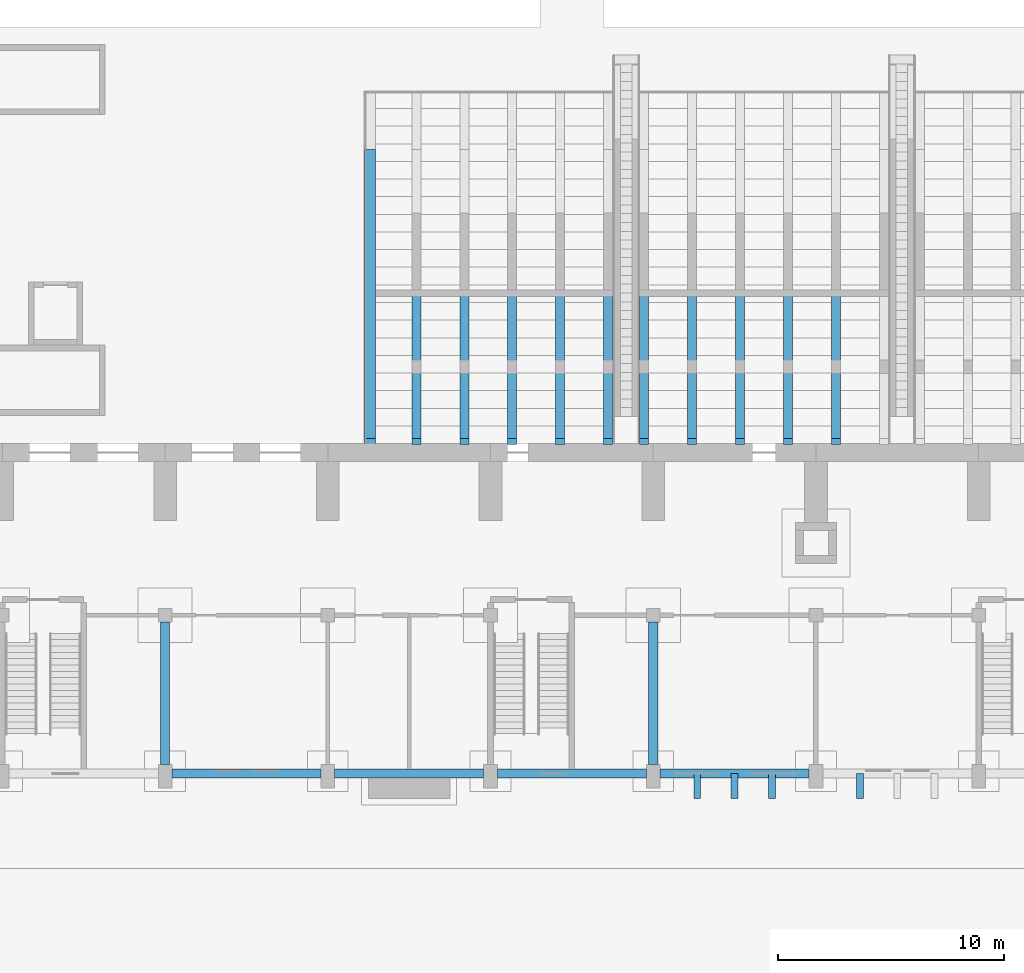
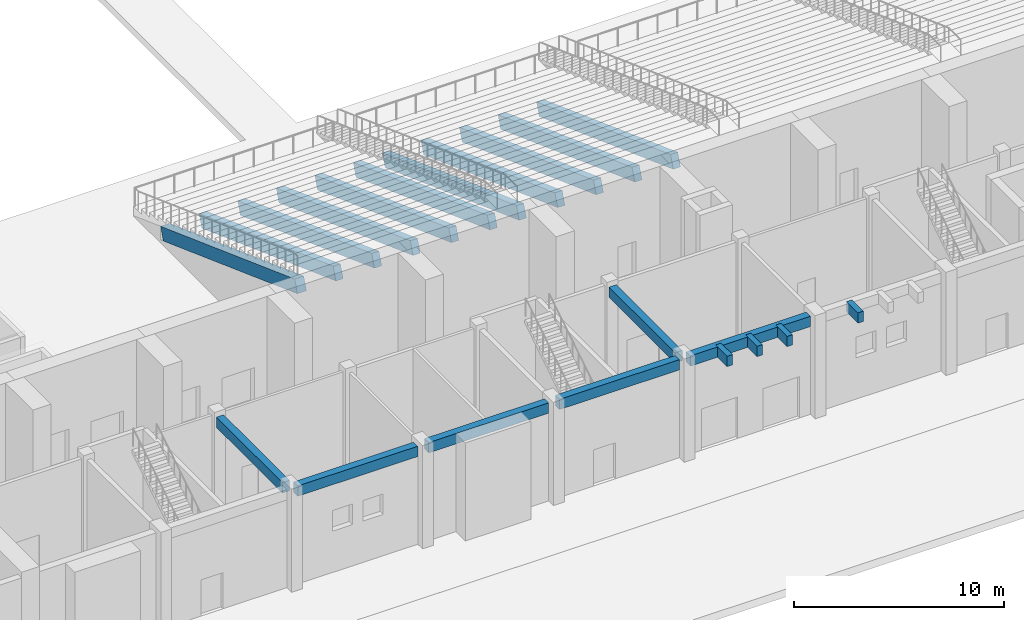
# One storey, part 9 of 70: 17 beams, 4 members.
"""IFC4 building model written with IfcOpenShell, lengths in metres."""

import ifcopenshell
import ifcopenshell.guid

model = None  # the IFC model being written
_history = None  # IfcOwnerHistory: only IFC2X3 demands one
_inside = {}  # id of a spatial element -> (the spatial element, [elements in it])
_under = {}  # id of a project, library or spatial element -> (it, [spatial elements below it])
_declared = {}  # id of a project -> (the project, [libraries it declares])
_typed = {}  # id of a type object -> (the type object, [elements of that type])
_made_of = {}  # id of a material, layer set ... -> (it, [elements and type objects made of it])


def new_model(schema):
    """Start an empty IFC model of exactly this schema.

    Asked for "IFC4X3", IfcOpenShell would pick the latest addendum, in which some entities
    have other attributes; the version numbers below select the first issue.
    IFC2X3 requires an IfcOwnerHistory on every rooted entity: one is made here for all.
    """
    global model, _history
    if schema == "IFC4X3":
        model = ifcopenshell.file(schema_version=(4, 3, 0, 0))
    else:
        model = ifcopenshell.file(schema=schema)
    _inside.clear()
    _under.clear()
    _declared.clear()
    _typed.clear()
    _made_of.clear()
    _history = None
    if model.schema == "IFC2X3":
        org = make("IfcOrganization", Name="unknown")
        user = make(
            "IfcPersonAndOrganization",
            ThePerson=make("IfcPerson", FamilyName="unknown"),
            TheOrganization=org,
        )
        app = make(
            "IfcApplication",
            ApplicationDeveloper=org,
            Version="unknown",
            ApplicationFullName="unknown",
            ApplicationIdentifier="unknown",
        )
        _history = make(
            "IfcOwnerHistory",
            OwningUser=user,
            OwningApplication=app,
            ChangeAction="ADDED",
            CreationDate=0,
        )
    return model


def make(cls, **values):
    """One entity of the class cls with the attributes given. An attribute that is None is left unset."""
    return model.create_entity(
        cls, **{name: value for name, value in values.items() if value is not None}
    )


def rooted(cls, **values):
    """An entity with a GlobalId (a new one), such as an element, a storey or a relation."""
    return make(cls, GlobalId=ifcopenshell.guid.new(), OwnerHistory=_history, **values)


def si_unit(unit_type, name, prefix=None):
    """IfcSIUnit, for example si_unit("LENGTHUNIT", "METRE", prefix="MILLI")."""
    return make("IfcSIUnit", UnitType=unit_type, Prefix=prefix, Name=name)


def assignment(units):
    """IfcUnitAssignment: the units of a project."""
    return None if units is None else make("IfcUnitAssignment", Units=units)


def point(xyz):
    """IfcCartesianPoint."""
    return None if xyz is None else make("IfcCartesianPoint", Coordinates=xyz)


def direction(xyz):
    """IfcDirection."""
    return None if xyz is None else make("IfcDirection", DirectionRatios=xyz)


def frame(location, z_axis=None, x_axis=None):
    """IfcAxis2Placement3D, a coordinate frame: its origin and axes. An axis left out is left unset."""
    return make(
        "IfcAxis2Placement3D",
        Location=point(location),
        Axis=direction(z_axis),
        RefDirection=direction(x_axis),
    )


def frame_2d(location, x_axis=None):
    """IfcAxis2Placement2D, a coordinate frame in the plane: its origin and x axis."""
    return make(
        "IfcAxis2Placement2D", Location=point(location), RefDirection=direction(x_axis)
    )


def origin():
    """The frame at (0, 0, 0) with its axes left unset."""
    return frame((0.0, 0.0, 0.0))


def origin_2d():
    """The frame at (0, 0) in the plane with its x axis left unset."""
    return frame_2d((0.0, 0.0))


def place(relative_to, where):
    """IfcLocalPlacement: puts the frame where relative to a parent placement (None: the world)."""
    return make(
        "IfcLocalPlacement", PlacementRelTo=relative_to, RelativePlacement=where
    )


def context(
    kind, dimensions, precision=None, world=None, true_north=None, identifier=None
):
    """IfcGeometricRepresentationContext, for example the 3D "Model" context."""
    return make(
        "IfcGeometricRepresentationContext",
        ContextIdentifier=identifier,
        ContextType=kind,
        CoordinateSpaceDimension=dimensions,
        Precision=precision,
        WorldCoordinateSystem=world,
        TrueNorth=true_north,
    )


def subcontext(parent, identifier, kind, view, scale=None):
    """IfcGeometricRepresentationSubContext, for example "Body" below "Model"."""
    return make(
        "IfcGeometricRepresentationSubContext",
        ContextIdentifier=identifier,
        ContextType=kind,
        ParentContext=parent,
        TargetScale=scale,
        TargetView=view,
    )


def project(units=None, contexts=None):
    """IfcProject with its units and contexts."""
    return rooted(
        "IfcProject",
        Name="project",
        RepresentationContexts=contexts,
        UnitsInContext=assignment(units),
    )


def spatial(cls, under=None, at=None, **own):
    """A site, building, storey or space (cls), placed at a placement, below another one or the project."""
    s = rooted(cls, ObjectPlacement=at, **own)
    if under is not None:
        _under.setdefault(under.id(), (under, []))[1].append(s)
    return s


def profile(cls, at=None, kind="AREA", **sizes):
    """A parametric profile (cls). Its sizes go by their IFC names, for example OverallWidth=200.0."""
    return make(cls, ProfileType=kind, Position=at, **sizes)


def rectangle(**sizes):
    """IfcRectangleProfileDef."""
    return profile("IfcRectangleProfileDef", **sizes)


def extrude(swept, where, along, depth):
    """IfcExtrudedAreaSolid: the profile swept, set in the frame where, extruded along a direction by depth."""
    return make(
        "IfcExtrudedAreaSolid",
        SweptArea=swept,
        Position=where,
        ExtrudedDirection=direction(along),
        Depth=depth,
    )


def shape(context_of_items, identifier, shape_type, items):
    """IfcShapeRepresentation: the items that make up one representation, for example the "Body"."""
    return make(
        "IfcShapeRepresentation",
        ContextOfItems=context_of_items,
        RepresentationIdentifier=identifier,
        RepresentationType=shape_type,
        Items=items,
    )


def material(Name=None, Category=None):
    """IfcMaterial."""
    return make("IfcMaterial", Name=Name, Category=Category)


def material_profile(
    of_material, cross_section, Name=None, Category=None, Priority=None
):
    """IfcMaterialProfile: a cross section and its material."""
    return make(
        "IfcMaterialProfile",
        Name=Name,
        Material=of_material,
        Profile=cross_section,
        Priority=Priority,
        Category=Category,
    )


def profile_set(profiles, Name=None, composite=None):
    """IfcMaterialProfileSet."""
    return make(
        "IfcMaterialProfileSet",
        Name=Name,
        MaterialProfiles=profiles,
        CompositeProfile=composite,
    )


def made_of(thing, what):
    """Note that an element or type object is made of a material, layer set ...; save() writes the relation."""
    if what is not None:
        _made_of.setdefault(what.id(), (what, []))[1].append(thing)
    return thing


def type_object(cls, material=None, **own):
    """A type object (cls), such as IfcWallType, which elements share."""
    return made_of(rooted(cls, **own), material)


def element(
    cls,
    number,
    at=None,
    inside=None,
    cuts=None,
    type_object=None,
    material=None,
    context=None,
    identifier="Body",
    shape_type=None,
    held_by="IfcProductDefinitionShape",
    body=None,
    shapes=None,
    **own,
):
    """One element of the class cls, such as IfcWall. Its Tag is "e" and its number.

    at: its placement. inside: the storey or other place that contains it. cuts: it is an
    opening in that element (IfcRelVoidsElement). A single representation is given by context,
    identifier, shape_type and body (its items); several are given by shapes. held_by: the class
    of the entity that holds the representations. save() writes the other relations.
    """
    e = rooted(cls, Tag="e%d" % number, ObjectPlacement=at, **own)
    if body is not None:
        shapes = [shape(context, identifier, shape_type, body)]
    if shapes is not None:
        e.Representation = make(held_by, Representations=shapes)
    if inside is not None:
        _inside.setdefault(inside.id(), (inside, []))[1].append(e)
    if cuts is not None:
        rooted(
            "IfcRelVoidsElement", RelatingBuildingElement=cuts, RelatedOpeningElement=e
        )
    if type_object is not None:
        _typed.setdefault(type_object.id(), (type_object, []))[1].append(e)
    return made_of(e, material)


def aggregate(whole, parts):
    """IfcRelAggregates: a whole, such as a stair, and the parts it consists of."""
    return rooted("IfcRelAggregates", RelatingObject=whole, RelatedObjects=parts)


def save(model, path):
    """Write the relations noted so far, then the file.

    IfcRelAggregates (storeys below a building ...), IfcRelContainedInSpatialStructure (elements
    in a storey), IfcRelDefinesByType, IfcRelAssociatesMaterial and IfcRelDeclares: one each for
    every whole, place, type object, material and project.
    """
    for whole, parts in _under.values():
        aggregate(whole, parts)
    for where, things in _inside.values():
        rooted(
            "IfcRelContainedInSpatialStructure",
            RelatedElements=things,
            RelatingStructure=where,
        )
    for kind, things in _typed.values():
        rooted("IfcRelDefinesByType", RelatedObjects=things, RelatingType=kind)
    for what, things in _made_of.values():
        rooted("IfcRelAssociatesMaterial", RelatedObjects=things, RelatingMaterial=what)
    for by, libraries in _declared.values():
        rooted("IfcRelDeclares", RelatingContext=by, RelatedDefinitions=libraries)
    model.write(path)


model = new_model("IFC4")

# Units and contexts
model_context = context("Model", 3, precision=1e-05, world=origin(), true_north=direction((0.0, 1.0)))
body_context = subcontext(model_context, "Body", "Model", "MODEL_VIEW")
ifc_project = project(units=[si_unit("LENGTHUNIT", "METRE"), si_unit("AREAUNIT", "SQUARE_METRE"), si_unit("VOLUMEUNIT", "CUBIC_METRE"), si_unit("PLANEANGLEUNIT", "RADIAN"), si_unit("MASSUNIT", "GRAM", prefix="KILO")], contexts=[model_context])

# Site, building, storey
site_placement = place(None, origin())
site = spatial("IfcSite", under=ifc_project, at=site_placement, CompositionType="ELEMENT")
building_placement = place(site_placement, origin())
building = spatial("IfcBuilding", under=site, at=building_placement, Name="Vermilion Court Aquatics Centre", CompositionType="ELEMENT")
storey_placement = place(building_placement, origin())
storey = spatial("IfcBuildingStorey", under=building, at=storey_placement, Name="L00", CompositionType="ELEMENT", Elevation=0.0)

# Beams
ifc_material_1 = material(Name="Concrete 5000 psi", Category="concrete")
ifc_material_profile_1 = material_profile(ifc_material_1, rectangle(XDim=0.39990234375, YDim=0.60009765625, at=origin_2d()), Name="RC 400x600")
ifc_profile_set_1 = profile_set([ifc_material_profile_1], Name="Concrete 5000 psi")
beam_type_1 = type_object("IfcBeamType", Name="South floor beam RC 400x600", PredefinedType="BEAM", material=ifc_profile_set_1)
for number, where, z_axis, x_axis, name in (
    (1, (29.10009765625, 0.199951171875, 5.39990234375), (1.0, 0.0, 0.0), (0.0, 1.0, 0.0), "South floor edge beam"),
    (2, (36.300048828125, 0.199951171875, 5.39990234375), (1.0, 0.0, 0.0), (0.0, 1.0, 0.0), "South floor edge beam"),
):
    element("IfcBeam", number, at=place(storey_placement, frame(where, z_axis=z_axis, x_axis=x_axis)), inside=storey, type_object=beam_type_1, Name=name, PredefinedType="BEAM", context=body_context, shape_type="SweptSolid", body=[
        extrude(rectangle(XDim=0.39990234375, YDim=0.60009765625, at=origin_2d()), origin(), (0.0, 0.0, 1.0), 6.599853515625),
    ])
for number, where, z_axis, x_axis, name in (
    (3, (43.5, 0.199951171875, 5.39990234375), (1.0, 0.0, 0.0), (0.0, 1.0, 0.0), "South floor edge beam"),
    (4, (50.699951171875, 0.199951171875, 5.39990234375), (1.0, 0.0, 0.0), (0.0, 1.0, 0.0), "South floor edge beam"),
):
    element("IfcBeam", number, at=place(storey_placement, frame(where, z_axis=z_axis, x_axis=x_axis)), inside=storey, type_object=beam_type_1, Name=name, PredefinedType="BEAM", context=body_context, shape_type="SweptSolid", body=[
        extrude(rectangle(XDim=0.39990234375, YDim=0.60009765625, at=origin_2d()), origin(), (0.0, 0.0, 1.0), 6.60009765625),
    ])
for number, where, z_axis, x_axis, name in (
    (5, (28.800048828125, 0.60009765625, 5.39990234375), (0.0, 1.0, 0.0), (-1.0, 0.0, 0.0), "South floor beam"),
    (6, (50.39990234375, 0.60009765625, 5.39990234375), (0.0, 1.0, 0.0), (-1.0, 0.0, 0.0), "South floor beam"),
):
    element("IfcBeam", number, at=place(storey_placement, frame(where, z_axis=z_axis, x_axis=x_axis)), inside=storey, type_object=beam_type_1, Name=name, PredefinedType="BEAM", context=body_context, shape_type="SweptSolid", body=[
        extrude(rectangle(XDim=0.39990234375, YDim=0.60009765625, at=origin_2d()), origin(), (0.0, 0.0, 1.0), 6.2998046875),
    ])

# Members
ifc_material_2 = material(Name="Concrete 5000 psi", Category="concrete")
ifc_material_profile_2 = material_profile(ifc_material_2, rectangle(XDim=0.300048828125, YDim=0.60009765625, at=origin_2d()), Name="RC 300x600")
ifc_profile_set_2 = profile_set([ifc_material_profile_2], Name="Concrete 5000 psi")
member_type = type_object("IfcMemberType", Name="South oriel corbel RC 300x600", PredefinedType="STRUT", material=ifc_profile_set_2)
for number, where, z_axis, x_axis, name in (
    (7, (52.35009765625, -0.89990234375, 5.39990234375), (0.0, 1.0, 0.0), (-1.0, 0.0, 0.0), "South oriel corbel"),
    (8, (54.0, -0.89990234375, 5.39990234375), (0.0, 1.0, 0.0), (-1.0, 0.0, 0.0), "South oriel corbel"),
    (9, (55.64990234375, -0.89990234375, 5.39990234375), (0.0, 1.0, 0.0), (-1.0, 0.0, 0.0), "South oriel corbel"),
    (10, (59.550048828125, -0.89990234375, 5.39990234375), (0.0, 1.0, 0.0), (-1.0, 0.0, 0.0), "South oriel corbel"),
):
    element("IfcMember", number, at=place(storey_placement, frame(where, z_axis=z_axis, x_axis=x_axis)), inside=storey, type_object=member_type, Name=name, PredefinedType="STRUT", context=body_context, shape_type="SweptSolid", body=[
        extrude(rectangle(XDim=0.300048828125, YDim=0.60009765625, at=origin_2d()), origin(), (0.0, 0.0, 1.0), 1.099853515625),
    ])

# Beams
ifc_material_3 = material(Name="Concrete 5000 psi", Category="concrete")
ifc_material_profile_3 = material_profile(ifc_material_3, rectangle(XDim=0.5, YDim=0.75, at=origin_2d()), Name="RC 500x750")
ifc_profile_set_3 = profile_set([ifc_material_profile_3], Name="Concrete 5000 psi")
beam_type_2 = type_object("IfcBeamType", Name="Tribune end raker beam RC 500x750", PredefinedType="BEAM", material=ifc_profile_set_3)
beam_placement = place(storey_placement, frame((37.85009765625, 27.6708984375, 0.62158203125), z_axis=(0.0, -0.938985441886, 0.343956886725), x_axis=(1.0, 0.0, 0.0)))
element("IfcBeam", 11, at=beam_placement, inside=storey, type_object=beam_type_2, Name="Raker 1.1", PredefinedType="BEAM", context=body_context, shape_type="SweptSolid", body=[
    extrude(rectangle(XDim=0.5, YDim=0.75, at=origin_2d()), origin(), (0.0, 0.0, 1.0), 13.612548828125),
])
ifc_material_4 = material(Name="Concrete 5000 psi", Category="concrete")
ifc_material_profile_4 = material_profile(ifc_material_4, rectangle(XDim=0.39990234375, YDim=0.75, at=origin_2d()), Name="RC 400x750")
ifc_profile_set_4 = profile_set([ifc_material_profile_4], Name="Concrete 5000 psi")
beam_type_3 = type_object("IfcBeamType", Name="Tribune raker beam RC 400x750", PredefinedType="BEAM", material=ifc_profile_set_4)
for number, where, z_axis, x_axis, name in (
    (12, (39.919921875, 27.6708984375, 0.62158203125), (0.0, -0.938985441886, 0.343956886725), (1.0, 0.0, 0.0), "Raker 1.2"),
    (13, (42.0400390625, 27.6708984375, 0.62158203125), (0.0, -0.938985441886, 0.343956886725), (1.0, 0.0, 0.0), "Raker 1.3"),
    (14, (44.159912109375, 27.6708984375, 0.62158203125), (0.0, -0.938985441886, 0.343956886725), (1.0, 0.0, 0.0), "Raker 1.4"),
    (15, (46.280029296875, 27.6708984375, 0.62158203125), (0.0, -0.938985441886, 0.343956886725), (1.0, 0.0, 0.0), "Raker 1.5"),
    (16, (48.39990234375, 27.6708984375, 0.62158203125), (0.0, -0.938985441886, 0.343956886725), (1.0, 0.0, 0.0), "Raker 1.6"),
    (17, (50.0, 27.6708984375, 0.62158203125), (0.0, -0.938985441886, 0.343956886725), (1.0, 0.0, 0.0), "Raker 2.1"),
    (18, (52.1201171875, 27.6708984375, 0.62158203125), (0.0, -0.938985441886, 0.343956886725), (1.0, 0.0, 0.0), "Raker 2.2"),
    (19, (54.239990234375, 27.6708984375, 0.62158203125), (0.0, -0.938985441886, 0.343956886725), (1.0, 0.0, 0.0), "Raker 2.3"),
    (20, (56.360107421875, 27.6708984375, 0.62158203125), (0.0, -0.938985441886, 0.343956886725), (1.0, 0.0, 0.0), "Raker 2.4"),
    (21, (58.47998046875, 27.6708984375, 0.62158203125), (0.0, -0.938985441886, 0.343956886725), (1.0, 0.0, 0.0), "Raker 2.5"),
):
    element("IfcBeam", number, at=place(storey_placement, frame(where, z_axis=z_axis, x_axis=x_axis)), inside=storey, type_object=beam_type_3, Name=name, PredefinedType="BEAM", context=body_context, shape_type="SweptSolid", body=[
        extrude(rectangle(XDim=0.39990234375, YDim=0.75, at=origin_2d()), origin(), (0.0, 0.0, 1.0), 13.612548828125),
    ])

save(model, "model.ifc")
